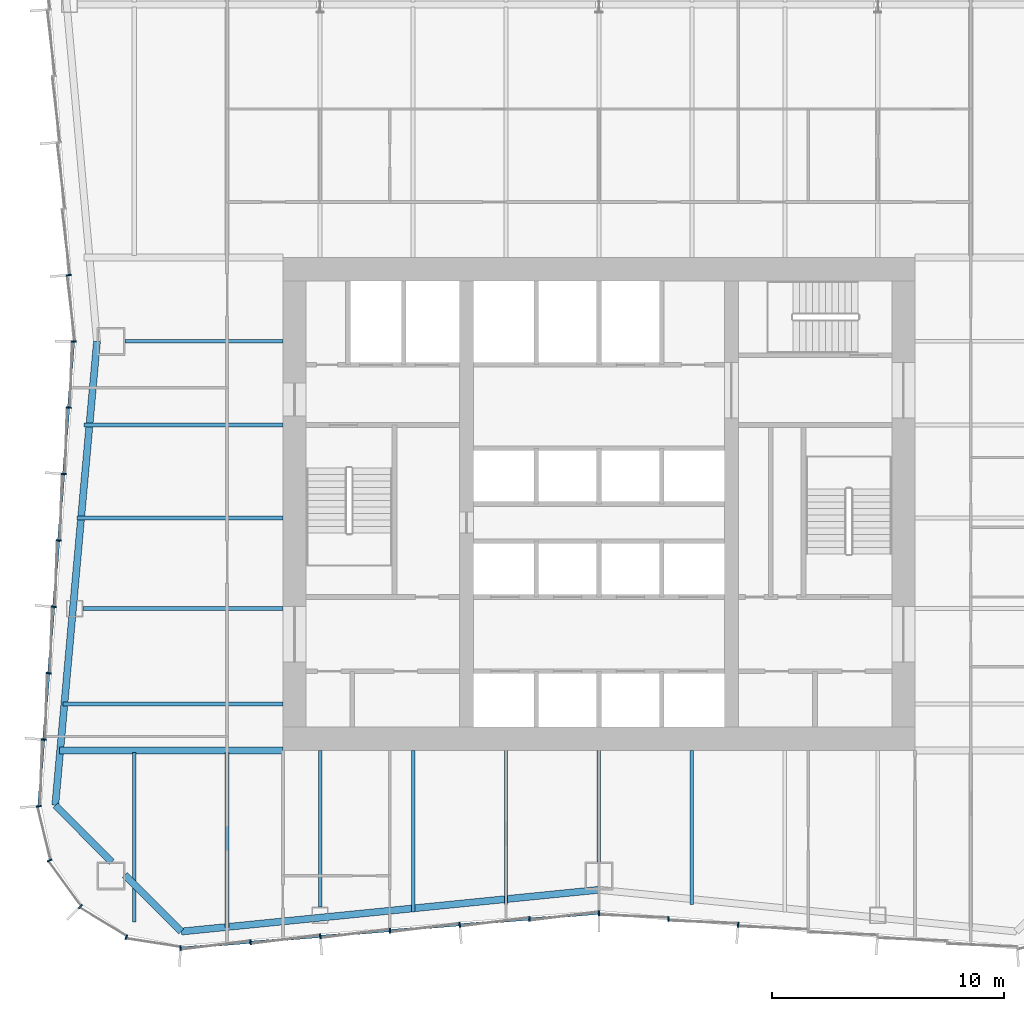
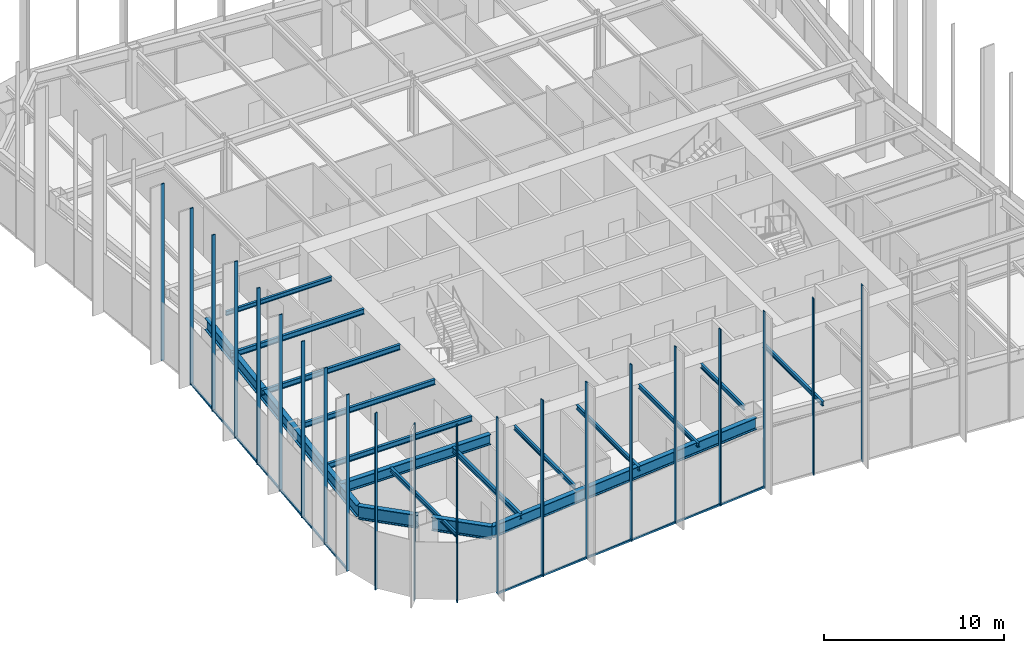
# One storey, part 2 of 13: 23 members, 17 beams, 3 elements without a shape of their own.
"""IFC4 building model written with IfcOpenShell, lengths in metres."""

from ifc_helpers import new_model, si_unit, direction, frame, origin, origin_2d, place, context, subcontext, project, spatial, rectangle, i_section, extrude, material, material_profile, profile_set, type_object, element, aggregate, save


model = new_model("IFC4")

# Units and contexts
model_context = context("Model", 3, precision=1e-05, world=origin(), true_north=direction((0.0, 1.0)))
body_context = subcontext(model_context, "Body", "Model", "MODEL_VIEW")
ifc_project = project(units=[si_unit("LENGTHUNIT", "METRE"), si_unit("AREAUNIT", "SQUARE_METRE"), si_unit("VOLUMEUNIT", "CUBIC_METRE"), si_unit("PLANEANGLEUNIT", "RADIAN"), si_unit("MASSUNIT", "GRAM", prefix="KILO")], contexts=[model_context])

# Site, building, storey
site_placement = place(None, origin())
site = spatial("IfcSite", under=ifc_project, at=site_placement, CompositionType="ELEMENT")
building_placement = place(site_placement, origin())
building = spatial("IfcBuilding", under=site, at=building_placement, Name="Verdant Reach Tower", CompositionType="ELEMENT")
storey_placement = place(building_placement, frame((0.0, 0.0, 138.0)))
storey = spatial("IfcBuildingStorey", under=building, at=storey_placement, Name="L31", CompositionType="ELEMENT", Elevation=138.0)

# Curtain wall, members
ifc_material_1 = material(Name="Anodised aluminium", Category="aluminium")
curtain_wall_type = type_object("IfcCurtainWallType", Name="EN-CW SYSTEM Z2", PredefinedType="NOTDEFINED", material=ifc_material_1)
curtain_wall_1_placement = place(storey_placement, origin())
curtain_wall_1 = element("IfcCurtainWall", 1, at=curtain_wall_1_placement, inside=storey, type_object=curtain_wall_type, Name="Curtain wall west, L31", PredefinedType="NOTDEFINED")
ifc_material_profile_1 = material_profile(ifc_material_1, rectangle(XDim=0.2119140625, YDim=0.06396484375, at=origin_2d()), Name="Mullion 64x212")
ifc_profile_set_1 = profile_set([ifc_material_profile_1], Name="Anodised aluminium")
member_type_1 = type_object("IfcMemberType", Name="EN-MULLION Z2", PredefinedType="MULLION", material=ifc_profile_set_1)
member_1_placement = place(storey_placement, frame((-22.820068359375, 37.84912109375, -0.35009765625), z_axis=(0.0, 0.0, 1.0), x_axis=(-0.997199309888, -0.074789948245, 0.0)))
member_1 = element("IfcMember", 2, at=member_1_placement, type_object=member_type_1, Name="Mullion west face part 1 7, L31", PredefinedType="MULLION", context=body_context, shape_type="SweptSolid", body=[
    extrude(rectangle(XDim=0.2119140625, YDim=0.06396484375, at=origin_2d()), origin(), (0.0, 0.0, 1.0), 12.0),
])
member_2_placement = place(storey_placement, frame((-22.60595703125, 35.0, -0.35009765625), z_axis=(0.0, 0.0, 1.0), x_axis=(-1.0, 0.0, 0.0)))
member_2 = element("IfcMember", 3, at=member_2_placement, type_object=member_type_1, Name="Mullion west face part 2 1, L31", PredefinedType="MULLION", context=body_context, shape_type="SweptSolid", body=[
    extrude(rectangle(XDim=0.2119140625, YDim=0.06396484375, at=origin_2d()), origin(), (0.0, 0.0, 1.0), 12.0),
])
member_3_placement = place(storey_placement, frame((-22.820068359375, 32.15087890625, -0.35009765625), z_axis=(0.0, 0.0, 1.0), x_axis=(-0.997199309888, 0.074789948245, 0.0)))
member_3 = element("IfcMember", 4, at=member_3_placement, type_object=member_type_1, Name="Mullion west face part 2 2, L31", PredefinedType="MULLION", context=body_context, shape_type="SweptSolid", body=[
    extrude(rectangle(XDim=0.2119140625, YDim=0.06396484375, at=origin_2d()), origin(), (0.0, 0.0, 1.0), 12.0),
])
member_4_placement = place(storey_placement, frame((-23.0341796875, 29.293701171875, -0.35009765625), z_axis=(0.0, 0.0, 1.0), x_axis=(-0.997199309888, 0.074789948245, 0.0)))
member_4 = element("IfcMember", 5, at=member_4_placement, type_object=member_type_1, Name="Mullion west face part 2 3, L31", PredefinedType="MULLION", context=body_context, shape_type="SweptSolid", body=[
    extrude(rectangle(XDim=0.2119140625, YDim=0.06396484375, at=origin_2d()), origin(), (0.0, 0.0, 1.0), 12.0),
])
member_5_placement = place(storey_placement, frame((-23.24853515625, 26.4365234375, -0.35009765625), z_axis=(0.0, 0.0, 1.0), x_axis=(-0.997199309888, 0.074789948245, 0.0)))
member_5 = element("IfcMember", 6, at=member_5_placement, type_object=member_type_1, Name="Mullion west face part 2 4, L31", PredefinedType="MULLION", context=body_context, shape_type="SweptSolid", body=[
    extrude(rectangle(XDim=0.2119140625, YDim=0.06396484375, at=origin_2d()), origin(), (0.0, 0.0, 1.0), 12.0),
])
member_6_placement = place(storey_placement, frame((-23.462890625, 23.579345703125, -0.35009765625), z_axis=(0.0, 0.0, 1.0), x_axis=(-0.997199309888, 0.074789948245, 0.0)))
member_6 = element("IfcMember", 7, at=member_6_placement, type_object=member_type_1, Name="Mullion west face part 2 5, L31", PredefinedType="MULLION", context=body_context, shape_type="SweptSolid", body=[
    extrude(rectangle(XDim=0.2119140625, YDim=0.06396484375, at=origin_2d()), origin(), (0.0, 0.0, 1.0), 12.0),
])
member_7_placement = place(storey_placement, frame((-23.67724609375, 20.72216796875, -0.35009765625), z_axis=(0.0, 0.0, 1.0), x_axis=(-0.997199309888, 0.074789948245, 0.0)))
member_7 = element("IfcMember", 8, at=member_7_placement, type_object=member_type_1, Name="Mullion west face part 2 6, L31", PredefinedType="MULLION", context=body_context, shape_type="SweptSolid", body=[
    extrude(rectangle(XDim=0.2119140625, YDim=0.06396484375, at=origin_2d()), origin(), (0.0, 0.0, 1.0), 12.0),
])
member_8_placement = place(storey_placement, frame((-23.891357421875, 17.864990234375, -0.35009765625), z_axis=(0.0, 0.0, 1.0), x_axis=(-0.997199309888, 0.074789948245, 0.0)))
member_8 = element("IfcMember", 9, at=member_8_placement, type_object=member_type_1, Name="Mullion west face part 2 7, L31", PredefinedType="MULLION", context=body_context, shape_type="SweptSolid", body=[
    extrude(rectangle(XDim=0.2119140625, YDim=0.06396484375, at=origin_2d()), origin(), (0.0, 0.0, 1.0), 12.0),
])

curtain_wall_2_placement = place(storey_placement, origin())
curtain_wall_2 = element("IfcCurtainWall", 10, at=curtain_wall_2_placement, inside=storey, type_object=curtain_wall_type, Name="Curtain wall south-west corner, L31", PredefinedType="NOTDEFINED")
member_9_placement = place(storey_placement, frame((-24.105712890625, 14.99365234375, -0.35009765625), z_axis=(0.0, 0.0, 1.0), x_axis=(-0.998155887542, -0.060702752526, 0.0)))
member_9 = element("IfcMember", 11, at=member_9_placement, type_object=member_type_1, Name="Mullion south-west corner 1, L31", PredefinedType="MULLION", context=body_context, shape_type="SweptSolid", body=[
    extrude(rectangle(XDim=0.2119140625, YDim=0.06396484375, at=origin_2d()), origin(), (0.0, 0.0, 1.0), 12.0),
])
member_10_placement = place(storey_placement, frame((-23.64111328125, 12.663330078125, -0.35009765625), z_axis=(0.0, 0.0, 1.0), x_axis=(-0.923875215753, -0.382693853776, 0.0)))
member_10 = element("IfcMember", 12, at=member_10_placement, type_object=member_type_1, Name="Mullion south-west corner 2, L31", PredefinedType="MULLION", context=body_context, shape_type="SweptSolid", body=[
    extrude(rectangle(XDim=0.2119140625, YDim=0.06396484375, at=origin_2d()), origin(), (0.0, 0.0, 1.0), 12.0),
])
member_11_placement = place(storey_placement, frame((-22.317626953125, 10.682373046875, -0.35009765625), z_axis=(0.0, 0.0, 1.0), x_axis=(-0.707106781187, -0.707106781187, 0.0)))
member_11 = element("IfcMember", 13, at=member_11_placement, type_object=member_type_1, Name="Mullion south-west corner 3, L31", PredefinedType="MULLION", context=body_context, shape_type="SweptSolid", body=[
    extrude(rectangle(XDim=0.2119140625, YDim=0.06396484375, at=origin_2d()), origin(), (0.0, 0.0, 1.0), 12.0),
])
member_12_placement = place(storey_placement, frame((-20.336669921875, 9.35888671875, -0.35009765625), z_axis=(0.0, 0.0, 1.0), x_axis=(-0.382693853776, -0.923875215753, 0.0)))
member_12 = element("IfcMember", 14, at=member_12_placement, type_object=member_type_1, Name="Mullion south-west corner 4, L31", PredefinedType="MULLION", context=body_context, shape_type="SweptSolid", body=[
    extrude(rectangle(XDim=0.2119140625, YDim=0.06396484375, at=origin_2d()), origin(), (0.0, 0.0, 1.0), 12.0),
])
aggregate(curtain_wall_2, [member_9, member_10, member_11, member_12])

curtain_wall_3_placement = place(storey_placement, origin())
curtain_wall_3 = element("IfcCurtainWall", 15, at=curtain_wall_3_placement, inside=storey, type_object=curtain_wall_type, Name="Curtain wall south, L31", PredefinedType="NOTDEFINED")
member_13_placement = place(storey_placement, frame((-18.006103515625, 8.894287109375, -0.35009765625), z_axis=(0.0, 0.0, 1.0), x_axis=(-0.056569187765, -0.998398681387, 0.0)))
member_13 = element("IfcMember", 16, at=member_13_placement, type_object=member_type_1, Name="Mullion south face part 1 1, L31", PredefinedType="MULLION", context=body_context, shape_type="SweptSolid", body=[
    extrude(rectangle(XDim=0.2119140625, YDim=0.06396484375, at=origin_2d()), origin(), (0.0, 0.0, 1.0), 12.0),
])
member_14_placement = place(storey_placement, frame((-14.9912109375, 9.144287109375, -0.35009765625), z_axis=(0.0, 0.0, 1.0), x_axis=(0.083045479859, -0.996545758244, 0.0)))
member_14 = element("IfcMember", 17, at=member_14_placement, type_object=member_type_1, Name="Mullion south face part 1 2, L31", PredefinedType="MULLION", context=body_context, shape_type="SweptSolid", body=[
    extrude(rectangle(XDim=0.2119140625, YDim=0.06396484375, at=origin_2d()), origin(), (0.0, 0.0, 1.0), 12.0),
])
member_15_placement = place(storey_placement, frame((-11.9912109375, 9.394287109375, -0.35009765625), z_axis=(0.0, 0.0, 1.0), x_axis=(0.083045479859, -0.996545758244, 0.0)))
member_15 = element("IfcMember", 18, at=member_15_placement, type_object=member_type_1, Name="Mullion south face part 1 3, L31", PredefinedType="MULLION", context=body_context, shape_type="SweptSolid", body=[
    extrude(rectangle(XDim=0.2119140625, YDim=0.06396484375, at=origin_2d()), origin(), (0.0, 0.0, 1.0), 12.0),
])
member_16_placement = place(storey_placement, frame((-8.9912109375, 9.644287109375, -0.35009765625), z_axis=(0.0, 0.0, 1.0), x_axis=(0.083045479859, -0.996545758244, 0.0)))
member_16 = element("IfcMember", 19, at=member_16_placement, type_object=member_type_1, Name="Mullion south face part 1 4, L31", PredefinedType="MULLION", context=body_context, shape_type="SweptSolid", body=[
    extrude(rectangle(XDim=0.2119140625, YDim=0.06396484375, at=origin_2d()), origin(), (0.0, 0.0, 1.0), 12.0),
])
member_17_placement = place(storey_placement, frame((-5.9912109375, 9.894287109375, -0.35009765625), z_axis=(0.0, 0.0, 1.0), x_axis=(0.083045479859, -0.996545758244, 0.0)))
member_17 = element("IfcMember", 20, at=member_17_placement, type_object=member_type_1, Name="Mullion south face part 1 5, L31", PredefinedType="MULLION", context=body_context, shape_type="SweptSolid", body=[
    extrude(rectangle(XDim=0.2119140625, YDim=0.06396484375, at=origin_2d()), origin(), (0.0, 0.0, 1.0), 12.0),
])
member_18_placement = place(storey_placement, frame((-2.9912109375, 10.144287109375, -0.35009765625), z_axis=(0.0, 0.0, 1.0), x_axis=(0.083045479859, -0.996545758244, 0.0)))
member_18 = element("IfcMember", 21, at=member_18_placement, type_object=member_type_1, Name="Mullion south face part 1 6, L31", PredefinedType="MULLION", context=body_context, shape_type="SweptSolid", body=[
    extrude(rectangle(XDim=0.2119140625, YDim=0.06396484375, at=origin_2d()), origin(), (0.0, 0.0, 1.0), 12.0),
])
member_19_placement = place(storey_placement, frame((0.0, 10.39404296875, -0.35009765625), z_axis=(0.0, 0.0, 1.0), x_axis=(0.0, -1.0, 0.0)))
member_19 = element("IfcMember", 22, at=member_19_placement, type_object=member_type_1, Name="Mullion south face part 2 1, L31", PredefinedType="MULLION", context=body_context, shape_type="SweptSolid", body=[
    extrude(rectangle(XDim=0.2119140625, YDim=0.06396484375, at=origin_2d()), origin(), (0.0, 0.0, 1.0), 12.0),
])
member_20_placement = place(storey_placement, frame((2.9912109375, 10.144287109375, -0.35009765625), z_axis=(0.0, 0.0, 1.0), x_axis=(-0.083045479859, -0.996545758244, 0.0)))
member_20 = element("IfcMember", 23, at=member_20_placement, type_object=member_type_1, Name="Mullion south face part 2 2, L31", PredefinedType="MULLION", context=body_context, shape_type="SweptSolid", body=[
    extrude(rectangle(XDim=0.2119140625, YDim=0.06396484375, at=origin_2d()), origin(), (0.0, 0.0, 1.0), 12.0),
])
member_21_placement = place(storey_placement, frame((5.9912109375, 9.894287109375, -0.35009765625), z_axis=(0.0, 0.0, 1.0), x_axis=(-0.083045479859, -0.996545758244, 0.0)))
member_21 = element("IfcMember", 24, at=member_21_placement, type_object=member_type_1, Name="Mullion south face part 2 3, L31", PredefinedType="MULLION", context=body_context, shape_type="SweptSolid", body=[
    extrude(rectangle(XDim=0.2119140625, YDim=0.06396484375, at=origin_2d()), origin(), (0.0, 0.0, 1.0), 12.0),
])

# Member
ifc_material_profile_2 = material_profile(ifc_material_1, rectangle(XDim=0.10009765625, YDim=0.1240234375, at=origin_2d()), Name="Transom 124x100")
ifc_profile_set_2 = profile_set([ifc_material_profile_2], Name="Anodised aluminium")
member_type_2 = type_object("IfcMemberType", Name="EN-TRANSOM Z2", PredefinedType="USERDEFINED", material=ifc_profile_set_2)
member_22_placement = place(storey_placement, frame((-22.6083984375, 34.968017578125, -0.2880859375), z_axis=(-0.07476111665, -0.997201471839, 0.0), x_axis=(0.997201471839, -0.07476111665, 0.0)))
member_22 = element("IfcMember", 25, at=member_22_placement, type_object=member_type_2, Name="Transom west face part 2 1.1, L31", ObjectType="TRANSOM", PredefinedType="USERDEFINED", context=body_context, shape_type="SweptSolid", body=[
    extrude(rectangle(XDim=0.10009765625, YDim=0.1240234375, at=origin_2d()), origin(), (0.0, 0.0, 1.0), 19.99853515625),
])

aggregate(curtain_wall_1, [member_1, member_2, member_3, member_4, member_5, member_6, member_7, member_8, member_22])

member_23_placement = place(storey_placement, frame((-17.97412109375, 8.896728515625, -0.2880859375), z_axis=(0.996548282776, 0.083015179915, 0.0), x_axis=(-0.083015179915, 0.996548282776, 0.0)))
member_23 = element("IfcMember", 26, at=member_23_placement, type_object=member_type_2, Name="Transom south face part 1 1.1, L31", ObjectType="TRANSOM", PredefinedType="USERDEFINED", context=body_context, shape_type="SweptSolid", body=[
    extrude(rectangle(XDim=0.10009765625, YDim=0.1240234375, at=origin_2d()), origin(), (0.0, 0.0, 1.0), 18.00439453125),
])

aggregate(curtain_wall_3, [member_13, member_14, member_15, member_16, member_17, member_18, member_23, member_19, member_20, member_21])

# Beams
ifc_material_2 = material(Name="Steel S355", Category="steel")
ifc_material_profile_3 = material_profile(ifc_material_2, i_section(OverallWidth=0.300048828125, OverallDepth=0.699951171875, WebThickness=0.01708984375, FlangeThickness=0.031982421875, FilletRadius=0.027099609375, at=origin_2d()), Name="HEB 700")
ifc_profile_set_3 = profile_set([ifc_material_profile_3], Name="Steel S355")
beam_type_1 = type_object("IfcBeamType", Name="ST-BEAM-HEB700", PredefinedType="BEAM", material=ifc_profile_set_3)
beam_1_placement = place(storey_placement, frame((-13.60009765625, 17.39990234375, 3.52001953125), z_axis=(-1.0, 0.0, 0.0), x_axis=(0.0, -1.0, 0.0)))
element("IfcBeam", 27, at=beam_1_placement, inside=storey, type_object=beam_type_1, Name="Trimmer beam, L31", PredefinedType="BEAM", context=body_context, shape_type="SweptSolid", body=[
    extrude(i_section(OverallWidth=0.300048828125, OverallDepth=0.699951171875, WebThickness=0.01708984375, FlangeThickness=0.031982421875, FilletRadius=0.027099609375, at=origin_2d()), origin(), (0.0, 0.0, 1.0), 9.6181640625),
])
ifc_material_profile_4 = material_profile(ifc_material_2, i_section(OverallWidth=0.14990234375, OverallDepth=0.300048828125, WebThickness=0.007080078125, FlangeThickness=0.0107421875, FilletRadius=0.014892578125, at=origin_2d()), Name="IPE 300")
ifc_profile_set_4 = profile_set([ifc_material_profile_4], Name="Steel S355")
beam_type_2 = type_object("IfcBeamType", Name="ST-JOIST-IPE300", PredefinedType="JOIST", material=ifc_profile_set_4)
beam_2_placement = place(storey_placement, frame((-20.0, 17.300048828125, 3.719970703125), z_axis=(0.0, -1.0, 0.0), x_axis=(1.0, 0.0, 0.0)))
element("IfcBeam", 28, at=beam_2_placement, inside=storey, type_object=beam_type_2, Name="Floor joist, L31", PredefinedType="JOIST", context=body_context, shape_type="SweptSolid", body=[
    extrude(i_section(OverallWidth=0.14990234375, OverallDepth=0.300048828125, WebThickness=0.007080078125, FlangeThickness=0.0107421875, FilletRadius=0.014892578125, at=origin_2d()), origin(), (0.0, 0.0, 1.0), 7.29052734375),
])
beam_3_placement = place(storey_placement, frame((-12.0, 17.39990234375, 3.719970703125), z_axis=(0.0, -1.0, 0.0), x_axis=(1.0, 0.0, 0.0)))
element("IfcBeam", 29, at=beam_3_placement, inside=storey, type_object=beam_type_2, Name="Floor joist, L31", PredefinedType="JOIST", context=body_context, shape_type="SweptSolid", body=[
    extrude(i_section(OverallWidth=0.14990234375, OverallDepth=0.300048828125, WebThickness=0.007080078125, FlangeThickness=0.0107421875, FilletRadius=0.014892578125, at=origin_2d()), origin(), (0.0, 0.0, 1.0), 6.75),
])
beam_4_placement = place(storey_placement, frame((-8.0, 17.39990234375, 3.719970703125), z_axis=(0.0, -1.0, 0.0), x_axis=(1.0, 0.0, 0.0)))
element("IfcBeam", 30, at=beam_4_placement, inside=storey, type_object=beam_type_2, Name="Floor joist, L31", PredefinedType="JOIST", context=body_context, shape_type="SweptSolid", body=[
    extrude(i_section(OverallWidth=0.14990234375, OverallDepth=0.300048828125, WebThickness=0.007080078125, FlangeThickness=0.0107421875, FilletRadius=0.014892578125, at=origin_2d()), origin(), (0.0, 0.0, 1.0), 6.964599609375),
])
beam_5_placement = place(storey_placement, frame((-4.0, 17.39990234375, 3.719970703125), z_axis=(0.0, -1.0, 0.0), x_axis=(1.0, 0.0, 0.0)))
element("IfcBeam", 31, at=beam_5_placement, inside=storey, type_object=beam_type_2, Name="Floor joist, L31", PredefinedType="JOIST", context=body_context, shape_type="SweptSolid", body=[
    extrude(i_section(OverallWidth=0.14990234375, OverallDepth=0.300048828125, WebThickness=0.007080078125, FlangeThickness=0.0107421875, FilletRadius=0.014892578125, at=origin_2d()), origin(), (0.0, 0.0, 1.0), 6.631103515625),
])
beam_6_placement = place(storey_placement, frame((0.0, 17.39990234375, 3.719970703125), z_axis=(0.0, -1.0, 0.0), x_axis=(1.0, 0.0, 0.0)))
element("IfcBeam", 32, at=beam_6_placement, inside=storey, type_object=beam_type_2, Name="Floor joist, L31", PredefinedType="JOIST", context=body_context, shape_type="SweptSolid", body=[
    extrude(i_section(OverallWidth=0.14990234375, OverallDepth=0.300048828125, WebThickness=0.007080078125, FlangeThickness=0.0107421875, FilletRadius=0.014892578125, at=origin_2d()), origin(), (0.0, 0.0, 1.0), 4.7998046875),
])
beam_7_placement = place(storey_placement, frame((4.0, 17.39990234375, 3.719970703125), z_axis=(0.0, -1.0, 0.0), x_axis=(1.0, 0.0, 0.0)))
element("IfcBeam", 33, at=beam_7_placement, inside=storey, type_object=beam_type_2, Name="Floor joist, L31", PredefinedType="JOIST", context=body_context, shape_type="SweptSolid", body=[
    extrude(i_section(OverallWidth=0.14990234375, OverallDepth=0.300048828125, WebThickness=0.007080078125, FlangeThickness=0.0107421875, FilletRadius=0.014892578125, at=origin_2d()), origin(), (0.0, 0.0, 1.0), 6.631103515625),
])
beam_8_placement = place(storey_placement, frame((-13.60009765625, 35.0, 3.719970703125), z_axis=(-1.0, 0.0, 0.0), x_axis=(0.0, -1.0, 0.0)))
element("IfcBeam", 34, at=beam_8_placement, inside=storey, type_object=beam_type_2, Name="Floor joist, L31", PredefinedType="JOIST", context=body_context, shape_type="SweptSolid", body=[
    extrude(i_section(OverallWidth=0.14990234375, OverallDepth=0.300048828125, WebThickness=0.007080078125, FlangeThickness=0.0107421875, FilletRadius=0.014892578125, at=origin_2d()), origin(), (0.0, 0.0, 1.0), 6.7998046875),
])
ifc_material_profile_5 = material_profile(ifc_material_2, i_section(OverallWidth=0.169921875, OverallDepth=0.360107421875, WebThickness=0.008056640625, FlangeThickness=0.0126953125, FilletRadius=0.01806640625, at=origin_2d()), Name="IPE 360")
ifc_profile_set_5 = profile_set([ifc_material_profile_5], Name="Steel S355")
beam_type_3 = type_object("IfcBeamType", Name="ST-JOIST-IPE360", PredefinedType="JOIST", material=ifc_profile_set_5)
beam_9_placement = place(storey_placement, frame((-16.0, 17.300048828125, 3.68994140625), z_axis=(0.0, -1.0, 0.0), x_axis=(1.0, 0.0, 0.0)))
element("IfcBeam", 35, at=beam_9_placement, inside=storey, type_object=beam_type_3, Name="Floor joist, L31", PredefinedType="JOIST", context=body_context, shape_type="SweptSolid", body=[
    extrude(i_section(OverallWidth=0.169921875, OverallDepth=0.360107421875, WebThickness=0.008056640625, FlangeThickness=0.0126953125, FilletRadius=0.01806640625, at=origin_2d()), origin(), (0.0, 0.0, 1.0), 7.53125),
])
beam_10_placement = place(storey_placement, frame((-13.60009765625, 19.39990234375, 3.68994140625), z_axis=(-1.0, 0.0, 0.0), x_axis=(0.0, -1.0, 0.0)))
element("IfcBeam", 36, at=beam_10_placement, inside=storey, type_object=beam_type_3, Name="Floor joist, L31", PredefinedType="JOIST", context=body_context, shape_type="SweptSolid", body=[
    extrude(i_section(OverallWidth=0.169921875, OverallDepth=0.360107421875, WebThickness=0.008056640625, FlangeThickness=0.0126953125, FilletRadius=0.01806640625, at=origin_2d()), origin(), (0.0, 0.0, 1.0), 9.46826171875),
])
beam_11_placement = place(storey_placement, frame((-13.60009765625, 23.5, 3.68994140625), z_axis=(-1.0, 0.0, 0.0), x_axis=(0.0, -1.0, 0.0)))
element("IfcBeam", 37, at=beam_11_placement, inside=storey, type_object=beam_type_3, Name="Floor joist, L31", PredefinedType="JOIST", context=body_context, shape_type="SweptSolid", body=[
    extrude(i_section(OverallWidth=0.169921875, OverallDepth=0.360107421875, WebThickness=0.008056640625, FlangeThickness=0.0126953125, FilletRadius=0.01806640625, at=origin_2d()), origin(), (0.0, 0.0, 1.0), 8.6123046875),
])
beam_12_placement = place(storey_placement, frame((-13.60009765625, 27.39990234375, 3.68994140625), z_axis=(-1.0, 0.0, 0.0), x_axis=(0.0, -1.0, 0.0)))
element("IfcBeam", 38, at=beam_12_placement, inside=storey, type_object=beam_type_3, Name="Floor joist, L31", PredefinedType="JOIST", context=body_context, shape_type="SweptSolid", body=[
    extrude(i_section(OverallWidth=0.169921875, OverallDepth=0.360107421875, WebThickness=0.008056640625, FlangeThickness=0.0126953125, FilletRadius=0.01806640625, at=origin_2d()), origin(), (0.0, 0.0, 1.0), 8.8681640625),
])
beam_13_placement = place(storey_placement, frame((-13.60009765625, 31.39990234375, 3.68994140625), z_axis=(-1.0, 0.0, 0.0), x_axis=(0.0, -1.0, 0.0)))
element("IfcBeam", 39, at=beam_13_placement, inside=storey, type_object=beam_type_3, Name="Floor joist, L31", PredefinedType="JOIST", context=body_context, shape_type="SweptSolid", body=[
    extrude(i_section(OverallWidth=0.169921875, OverallDepth=0.360107421875, WebThickness=0.008056640625, FlangeThickness=0.0126953125, FilletRadius=0.01806640625, at=origin_2d()), origin(), (0.0, 0.0, 1.0), 8.568115234375),
])
ifc_material_profile_6 = material_profile(ifc_material_2, i_section(OverallWidth=0.300048828125, OverallDepth=0.800048828125, WebThickness=0.017578125, FlangeThickness=0.032958984375, FilletRadius=0.030029296875, at=origin_2d()), Name="HEB 800")
ifc_profile_set_6 = profile_set([ifc_material_profile_6], Name="Steel S355")
beam_type_4 = type_object("IfcBeamType", Name="ST-SPANDREL-HEB800", PredefinedType="SPANDREL", material=ifc_profile_set_6)
beam_14_placement = place(storey_placement, frame((0.0, 11.39990234375, 3.469970703125), z_axis=(-0.995046289869, -0.099412680371, 0.0), x_axis=(0.099412680371, -0.995046289869, 0.0)))
element("IfcBeam", 40, at=beam_14_placement, inside=storey, type_object=beam_type_4, Name="Edge beam, L31", PredefinedType="SPANDREL", context=body_context, shape_type="SweptSolid", body=[
    extrude(i_section(OverallWidth=0.300048828125, OverallDepth=0.800048828125, WebThickness=0.017578125, FlangeThickness=0.032958984375, FilletRadius=0.030029296875, at=origin_2d()), origin(), (0.0, 0.0, 1.0), 18.05517578125),
])
beam_15_placement = place(storey_placement, frame((-23.3955078125, 15.036865234375, 3.469970703125), z_axis=(0.089574749266, 0.995980102358, 0.0), x_axis=(-0.995980102358, 0.089574749266, 0.0)))
element("IfcBeam", 41, at=beam_15_placement, inside=storey, type_object=beam_type_4, Name="Edge beam, L31", PredefinedType="SPANDREL", context=body_context, shape_type="SweptSolid", body=[
    extrude(i_section(OverallWidth=0.300048828125, OverallDepth=0.800048828125, WebThickness=0.017578125, FlangeThickness=0.032958984375, FilletRadius=0.030029296875, at=origin_2d()), origin(), (0.0, 0.0, 1.0), 20.043701171875),
])
ifc_material_profile_7 = material_profile(ifc_material_2, i_section(OverallWidth=0.302001953125, OverallDepth=0.909912109375, WebThickness=0.02099609375, FlangeThickness=0.0400390625, FilletRadius=0.030029296875, at=origin_2d()), Name="HEM 900")
ifc_profile_set_7 = profile_set([ifc_material_profile_7], Name="Steel S355")
beam_type_5 = type_object("IfcBeamType", Name="ST-SPANDREL-HEM900", PredefinedType="SPANDREL", material=ifc_profile_set_7)
beam_16_placement = place(storey_placement, frame((-17.9658203125, 9.60498046875, 3.4150390625), z_axis=(-0.70696494852, 0.70724858541, 0.0), x_axis=(-0.70724858541, -0.70696494852, 0.0)))
element("IfcBeam", 42, at=beam_16_placement, inside=storey, type_object=beam_type_5, Name="Edge beam, L31", PredefinedType="SPANDREL", context=body_context, shape_type="SweptSolid", body=[
    extrude(i_section(OverallWidth=0.302001953125, OverallDepth=0.909912109375, WebThickness=0.02099609375, FlangeThickness=0.0400390625, FilletRadius=0.030029296875, at=origin_2d()), origin(), (0.0, 0.0, 1.0), 3.443115234375),
])
beam_17_placement = place(storey_placement, frame((-20.959716796875, 12.60009765625, 3.4150390625), z_axis=(-0.706965048022, 0.707248485948, 0.0), x_axis=(-0.707248485948, -0.706965048022, 0.0)))
element("IfcBeam", 43, at=beam_17_placement, inside=storey, type_object=beam_type_5, Name="Edge beam, L31", PredefinedType="SPANDREL", context=body_context, shape_type="SweptSolid", body=[
    extrude(i_section(OverallWidth=0.302001953125, OverallDepth=0.909912109375, WebThickness=0.02099609375, FlangeThickness=0.0400390625, FilletRadius=0.030029296875, at=origin_2d()), origin(), (0.0, 0.0, 1.0), 3.4453125),
])

save(model, "model.ifc")
